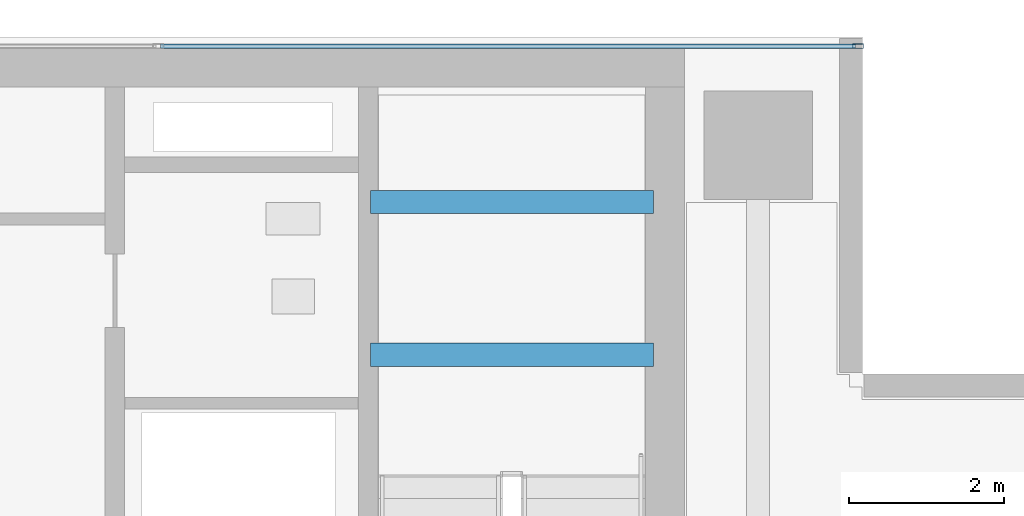
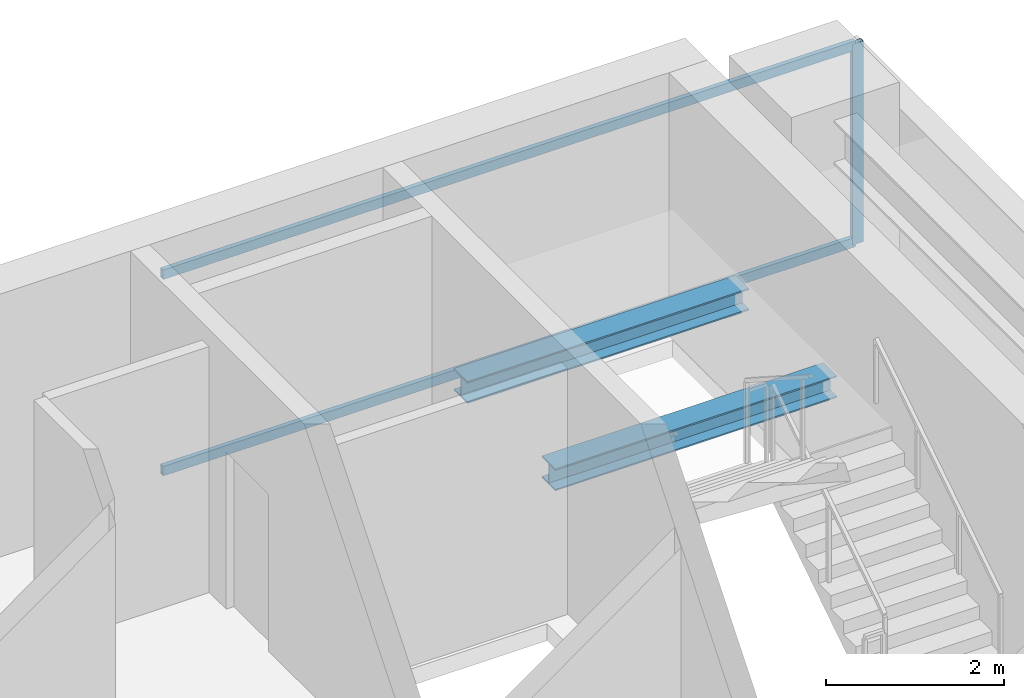
# One storey, part 18 of 25: 3 members, 2 beams, 1 element without a shape of its own.
"""IFC4 building model written with IfcOpenShell, lengths in metres."""

from ifc_helpers import new_model, si_unit, direction, frame, origin, origin_2d, place, context, subcontext, project, spatial, hollow_rectangle, i_section, extrude, source, transform, mapped, material, layer, layer_set, material_profile, profile_set, type_object, element, aggregate, save


model = new_model("IFC4")

# Units and contexts
model_context = context("Model", 3, precision=1e-05, world=origin(), true_north=direction((0.0, 1.0)))
body_context = subcontext(model_context, "Body", "Model", "MODEL_VIEW")
ifc_project = project(units=[si_unit("LENGTHUNIT", "METRE"), si_unit("AREAUNIT", "SQUARE_METRE"), si_unit("VOLUMEUNIT", "CUBIC_METRE"), si_unit("PLANEANGLEUNIT", "RADIAN"), si_unit("MASSUNIT", "GRAM", prefix="KILO")], contexts=[model_context])

# Site, building, storey
site_placement = place(None, origin())
site = spatial("IfcSite", under=ifc_project, at=site_placement, CompositionType="ELEMENT")
building_placement = place(site_placement, origin())
building = spatial("IfcBuilding", under=site, at=building_placement, Name="Sumidabori Civic Tower", CompositionType="ELEMENT")
storey_placement = place(building_placement, frame((0.0, 0.0, 239.60009765625)))
storey = spatial("IfcBuildingStorey", under=building, at=storey_placement, Name="L62", CompositionType="ELEMENT", Elevation=239.60009765625)

# Beams
ifc_material_1 = material(Name="Steel SN490", Category="steel")
ifc_material_profile_1 = material_profile(ifc_material_1, i_section(OverallWidth=0.300048828125, OverallDepth=0.300048828125, WebThickness=0.010986328125, FlangeThickness=0.01904296875, at=origin_2d()), Name="HE 300 B")
ifc_profile_set_1 = profile_set([ifc_material_profile_1], Name="Steel SN490")
beam_type = type_object("IfcBeamType", Name="BM-LDG-300", PredefinedType="BEAM", material=ifc_profile_set_1)
shared_shape_1 = source(origin(), body_context, "Body", "SweptSolid", [
    extrude(i_section(OverallWidth=0.300048828125, OverallDepth=0.300048828125, WebThickness=0.010986328125, FlangeThickness=0.01904296875, at=origin_2d()), origin(), (0.0, 0.0, 1.0), 3.64990234375),
])
for number, where, z_axis, x_axis, name in (
    (1, (11.800048828125, 20.09765625, 1.449951171875), (1.0, 0.0, 0.0), (0.0, 1.0, 0.0), "Stair ST-2 Landing Support Beam L62-1A"),
    (2, (11.800048828125, 22.069580078125, 1.449951171875), (1.0, 0.0, 0.0), (0.0, 1.0, 0.0), "Stair ST-2 Landing Trimmer Beam L62-1B"),
):
    element("IfcBeam", number, at=place(storey_placement, frame(where, z_axis=z_axis, x_axis=x_axis)), inside=storey, type_object=beam_type, Name=name, PredefinedType="BEAM", context=body_context, shape_type="MappedRepresentation", body=[
        mapped(shared_shape_1, transform((0.0, 0.0, 0.0), x_axis=(1.0, 0.0, 0.0), y_axis=(0.0, 1.0, 0.0), z_axis=(0.0, 0.0, 1.0), scale=1.0)),
    ])

# Curtain wall, members
ifc_material_2 = material(Name="Anodised Bronze Aluminium AW-6063-T6", Category="aluminium")
ifc_layer = layer(ifc_material_2, 0.179931640625, Name="Anodised Bronze Aluminium AW-6063-T6")
ifc_layer_set = layer_set([ifc_layer], Name="Anodised Bronze Aluminium AW-6063-T6")
curtain_wall_type = type_object("IfcCurtainWallType", Name="CW-SYS-5", PredefinedType="NOTDEFINED", material=ifc_layer_set)
curtain_wall_placement = place(storey_placement, origin())
curtain_wall = element("IfcCurtainWall", 3, at=curtain_wall_placement, inside=storey, type_object=curtain_wall_type, Name="Curtain Wall CW:L62:R07", PredefinedType="NOTDEFINED")
ifc_material_profile_2 = material_profile(ifc_material_2, hollow_rectangle(XDim=0.06005859375, YDim=0.139892578125, WallThickness=0.0048828125, at=origin_2d()), Name="ALU MULLION 140x60")
ifc_profile_set_2 = profile_set([ifc_material_profile_2], Name="Anodised Bronze Aluminium AW-6063-T6")
member_type_1 = type_object("IfcMemberType", Name="CW-MUL-140", PredefinedType="MULLION", material=ifc_profile_set_2)
shared_shape_2 = source(origin(), body_context, "Body", "SweptSolid", [
    extrude(hollow_rectangle(XDim=0.06005859375, YDim=0.139892578125, WallThickness=0.0048828125, at=origin_2d()), origin(), (0.0, 0.0, 1.0), 2.75),
])
member_1_placement = place(storey_placement, frame((18.090087890625, 24.080078125, 0.0), z_axis=(0.0, 0.0, 1.0), x_axis=(0.0, -1.0, 0.0)))
member_1 = element("IfcMember", 4, at=member_1_placement, type_object=member_type_1, Name="CW-5 mullion 1", PredefinedType="MULLION", context=body_context, shape_type="MappedRepresentation", body=[
    mapped(shared_shape_2, transform((0.0, 0.0, 0.0), x_axis=(1.0, 0.0, 0.0), y_axis=(0.0, 1.0, 0.0), z_axis=(0.0, 0.0, 1.0), scale=1.0)),
])
ifc_material_profile_3 = material_profile(ifc_material_2, hollow_rectangle(XDim=0.06005859375, YDim=0.1298828125, WallThickness=0.0048828125, at=origin_2d()), Name="ALU TRANSOM 130x60")
ifc_profile_set_3 = profile_set([ifc_material_profile_3], Name="Anodised Bronze Aluminium AW-6063-T6")
member_type_2 = type_object("IfcMemberType", Name="CW-TRN-130", PredefinedType="USERDEFINED", material=ifc_profile_set_3)
shared_shape_3 = source(origin(), body_context, "Body", "SweptSolid", [
    extrude(hollow_rectangle(XDim=0.06005859375, YDim=0.1298828125, WallThickness=0.0048828125, at=origin_2d()), origin(), (0.0, 0.0, 1.0), 8.969970703125),
])
member_2_placement = place(storey_placement, frame((18.06005859375, 24.080078125, 0.02978515625), z_axis=(-1.0, 0.0, 0.0), x_axis=(0.0, -1.0, 0.0)))
member_2 = element("IfcMember", 5, at=member_2_placement, type_object=member_type_2, Name="CW-5 transom 1.1", ObjectType="TRANSOM", PredefinedType="USERDEFINED", context=body_context, shape_type="MappedRepresentation", body=[
    mapped(shared_shape_3, transform((0.0, 0.0, 0.0), x_axis=(1.0, 0.0, 0.0), y_axis=(0.0, 1.0, 0.0), z_axis=(0.0, 0.0, 1.0), scale=1.0)),
])
member_3_placement = place(storey_placement, frame((18.06005859375, 24.080078125, 2.719970703125), z_axis=(-1.0, 0.0, 0.0), x_axis=(0.0, -1.0, 0.0)))
member_3 = element("IfcMember", 6, at=member_3_placement, type_object=member_type_2, Name="CW-5 transom 1.2", ObjectType="TRANSOM", PredefinedType="USERDEFINED", context=body_context, shape_type="MappedRepresentation", body=[
    mapped(shared_shape_3, transform((0.0, 0.0, 0.0), x_axis=(1.0, 0.0, 0.0), y_axis=(0.0, 1.0, 0.0), z_axis=(0.0, 0.0, 1.0), scale=1.0)),
])
aggregate(curtain_wall, [member_1, member_2, member_3])

save(model, "model.ifc")
